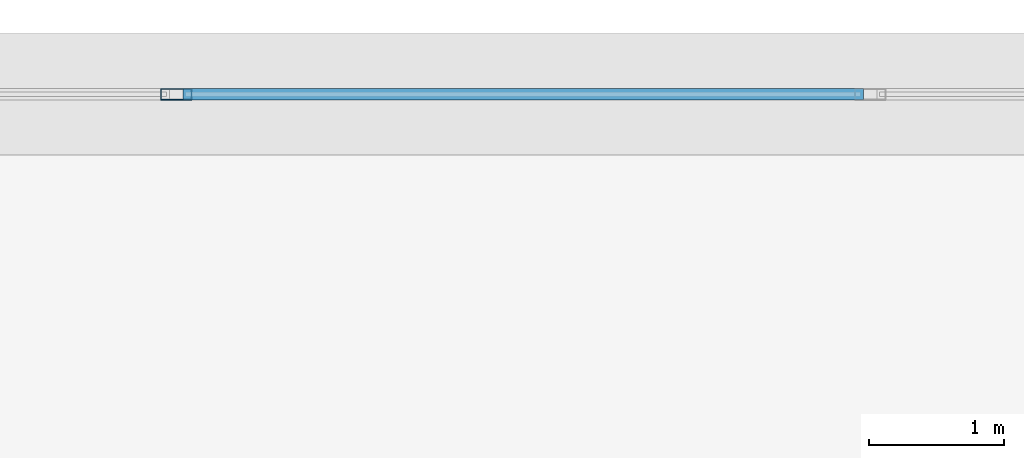
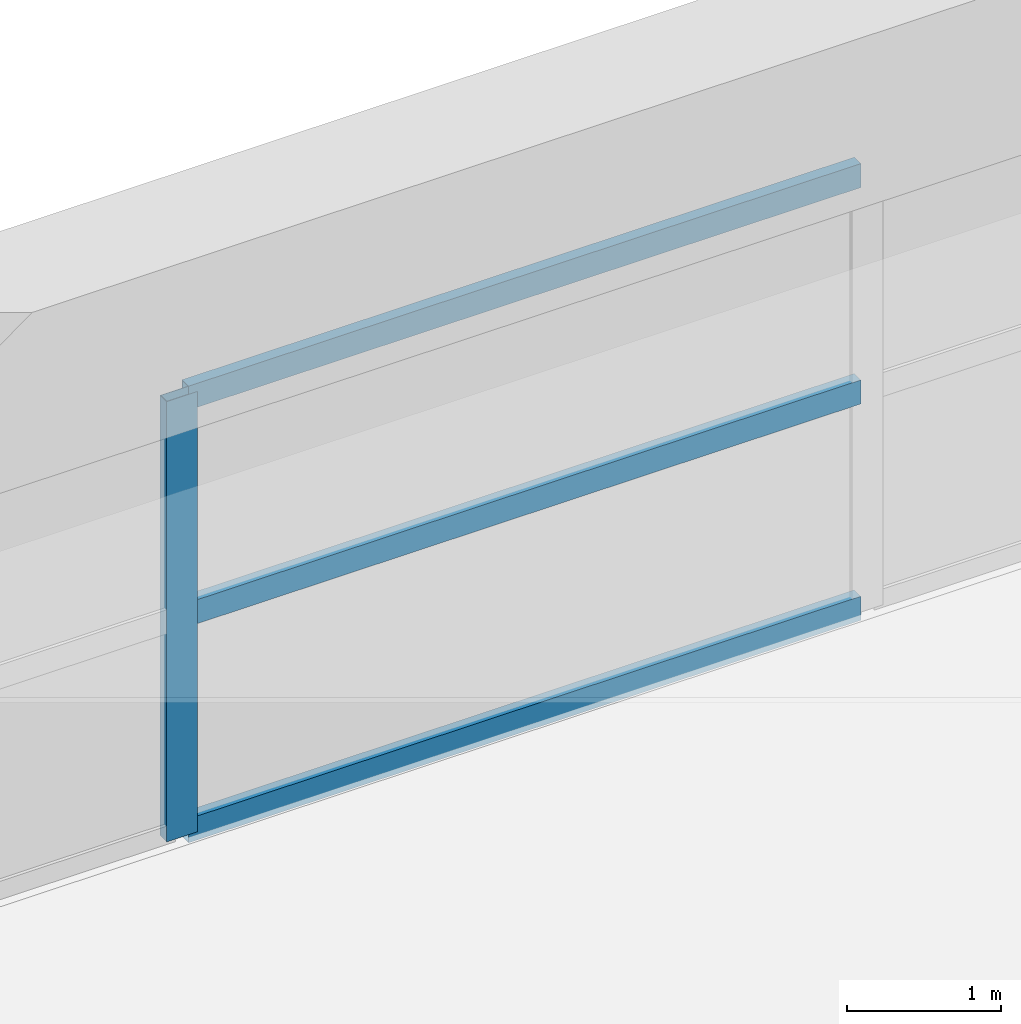
# One storey, part 19 of 45: 4 members, 1 element without a shape of its own.
"""IFC4 building model written with IfcOpenShell, lengths in metres."""

from ifc_helpers import new_model, si_unit, direction, frame, origin, origin_2d, place, context, subcontext, project, spatial, hollow_rectangle, extrude, material, material_profile, profile_set, type_object, element, aggregate, save


model = new_model("IFC4")

# Units and contexts
model_context = context("Model", 3, precision=1e-05, world=origin(), true_north=direction((0.0, 1.0)))
body_context = subcontext(model_context, "Body", "Model", "MODEL_VIEW")
ifc_project = project(units=[si_unit("LENGTHUNIT", "METRE"), si_unit("AREAUNIT", "SQUARE_METRE"), si_unit("VOLUMEUNIT", "CUBIC_METRE"), si_unit("PLANEANGLEUNIT", "RADIAN"), si_unit("MASSUNIT", "GRAM", prefix="KILO")], contexts=[model_context])

# Site, building, storey
site_placement = place(None, origin())
site = spatial("IfcSite", under=ifc_project, at=site_placement, CompositionType="ELEMENT")
building_placement = place(site_placement, origin())
building = spatial("IfcBuilding", under=site, at=building_placement, Name="Kovane Verandah Tower", CompositionType="ELEMENT")
storey_placement = place(building_placement, frame((0.0, 0.0, 6.0)))
storey = spatial("IfcBuildingStorey", under=building, at=storey_placement, Name="L01", CompositionType="ELEMENT", Elevation=6.0)

# Curtain wall, members
ifc_material_1 = material(Name="Champagne Anodised Aluminium Frame with Low-E Clear Laminated Glass", Category="aluminium")
curtain_wall_type = type_object("IfcCurtainWallType", Name="CW-SYS-01-POD", PredefinedType="NOTDEFINED", material=ifc_material_1)
curtain_wall_placement = place(storey_placement, origin())
curtain_wall = element("IfcCurtainWall", 1, at=curtain_wall_placement, inside=storey, type_object=curtain_wall_type, Name="L01 North Podium Curtain Wall Bay 4", PredefinedType="NOTDEFINED")
ifc_material_2 = material(Name="Champagne Anodised Aluminium 6063-T6", Category="aluminium")
ifc_material_profile_1 = material_profile(ifc_material_2, hollow_rectangle(XDim=0.0849609375, YDim=0.22998046875, WallThickness=0.00390625, at=origin_2d()), Name="AL85x230x4")
ifc_profile_set_1 = profile_set([ifc_material_profile_1], Name="Champagne Anodised Aluminium 6063-T6")
member_type_1 = type_object("IfcMemberType", Name="CW-MUL-85x230", PredefinedType="MULLION", material=ifc_profile_set_1)
member_1_placement = place(storey_placement, frame((34.860107421875, 56.5, 0.02001953125), z_axis=(0.0, 0.0, 1.0), x_axis=(0.0, 1.0, 0.0)))
member_1 = element("IfcMember", 2, at=member_1_placement, type_object=member_type_1, Name="L01 North Podium Curtain Wall Bay 4 Mullion 4", PredefinedType="MULLION", context=body_context, shape_type="SweptSolid", body=[
    extrude(hollow_rectangle(XDim=0.0849609375, YDim=0.22998046875, WallThickness=0.00390625, at=origin_2d()), origin(), (0.0, 0.0, 1.0), 3.489990234375),
])
ifc_material_profile_2 = material_profile(ifc_material_2, hollow_rectangle(XDim=0.0849609375, YDim=0.18994140625, WallThickness=0.00390625, at=origin_2d()), Name="AL85x190x4")
ifc_profile_set_2 = profile_set([ifc_material_profile_2], Name="Champagne Anodised Aluminium 6063-T6")
member_type_2 = type_object("IfcMemberType", Name="CW-TRN-85x190", PredefinedType="USERDEFINED", material=ifc_profile_set_2)
member_2_placement = place(storey_placement, frame((39.949951171875, 56.5, 0.050048828125), z_axis=(-1.0, 0.0, 0.0), x_axis=(0.0, -1.0, 0.0)))
member_2 = element("IfcMember", 3, at=member_2_placement, type_object=member_type_2, Name="L01 North Podium Curtain Wall Bay 4 Transom TB Bay 3", ObjectType="TRANSOM", PredefinedType="USERDEFINED", context=body_context, shape_type="SweptSolid", body=[
    extrude(hollow_rectangle(XDim=0.0849609375, YDim=0.18994140625, WallThickness=0.00390625, at=origin_2d()), origin(), (0.0, 0.0, 1.0), 5.0400390625),
])
member_3_placement = place(storey_placement, frame((39.949951171875, 56.5, 1.764892578125), z_axis=(-1.0, 0.0, 0.0), x_axis=(0.0, -1.0, 0.0)))
member_3 = element("IfcMember", 4, at=member_3_placement, type_object=member_type_2, Name="L01 North Podium Curtain Wall Bay 4 Transom TM Bay 3", ObjectType="TRANSOM", PredefinedType="USERDEFINED", context=body_context, shape_type="SweptSolid", body=[
    extrude(hollow_rectangle(XDim=0.0849609375, YDim=0.18994140625, WallThickness=0.00390625, at=origin_2d()), origin(), (0.0, 0.0, 1.0), 5.0400390625),
])
member_4_placement = place(storey_placement, frame((39.949951171875, 56.5, 3.47998046875), z_axis=(-1.0, 0.0, 0.0), x_axis=(0.0, -1.0, 0.0)))
member_4 = element("IfcMember", 5, at=member_4_placement, type_object=member_type_2, Name="L01 North Podium Curtain Wall Bay 4 Transom TT Bay 3", ObjectType="TRANSOM", PredefinedType="USERDEFINED", context=body_context, shape_type="SweptSolid", body=[
    extrude(hollow_rectangle(XDim=0.0849609375, YDim=0.18994140625, WallThickness=0.00390625, at=origin_2d()), origin(), (0.0, 0.0, 1.0), 5.0400390625),
])
aggregate(curtain_wall, [member_1, member_2, member_3, member_4])

save(model, "model.ifc")
